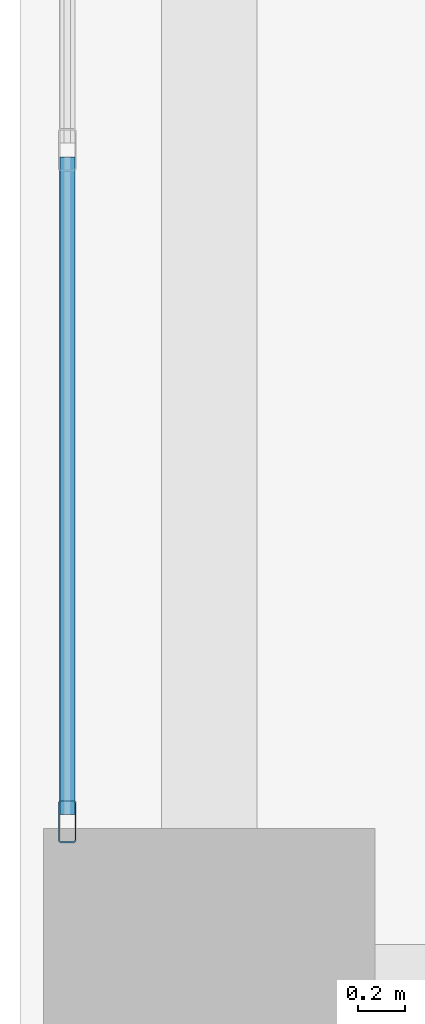
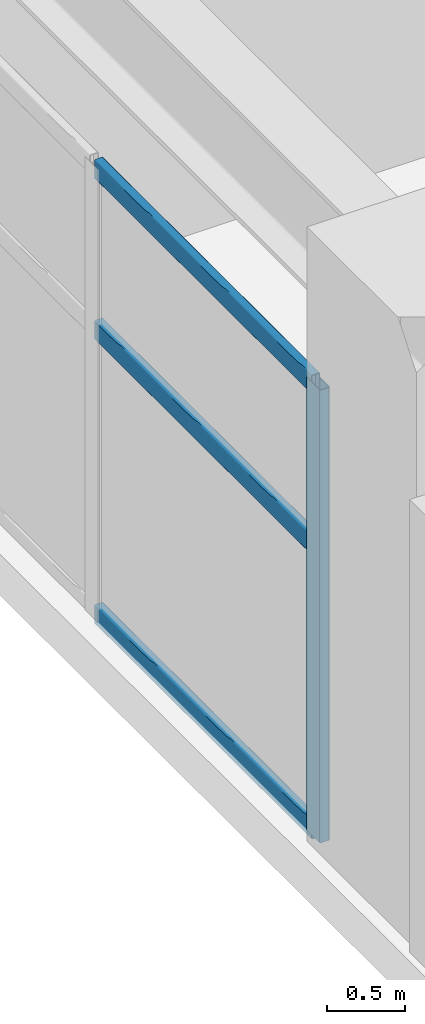
# One storey, part 5 of 28: 4 members, 1 element without a shape of its own.
"""IFC4 building model written with IfcOpenShell, lengths in metres."""

from ifc_helpers import new_model, si_unit, direction, frame, origin, origin_2d, place, context, subcontext, project, spatial, hollow_rectangle, extrude, material, layer, layer_set, material_profile, profile_set, type_object, element, aggregate, save


model = new_model("IFC4")

# Units and contexts
model_context = context("Model", 3, precision=1e-05, world=origin(), true_north=direction((0.0, 1.0)))
body_context = subcontext(model_context, "Body", "Model", "MODEL_VIEW")
ifc_project = project(units=[si_unit("LENGTHUNIT", "METRE"), si_unit("AREAUNIT", "SQUARE_METRE"), si_unit("VOLUMEUNIT", "CUBIC_METRE"), si_unit("PLANEANGLEUNIT", "RADIAN"), si_unit("MASSUNIT", "GRAM", prefix="KILO")], contexts=[model_context])

# Site, building, storey
site_placement = place(None, origin())
site = spatial("IfcSite", under=ifc_project, at=site_placement, CompositionType="ELEMENT")
building_placement = place(site_placement, origin())
building = spatial("IfcBuilding", under=site, at=building_placement, Name="Soratama Intermodal Tower", CompositionType="ELEMENT")
storey_placement = place(building_placement, frame((0.0, 0.0, 11.39990234375)))
storey = spatial("IfcBuildingStorey", under=building, at=storey_placement, Name="L02", CompositionType="ELEMENT", Elevation=11.39990234375)

# Curtain wall, members
ifc_material_1 = material(Name="Double-glazed aluminium curtain wall", Category="aluminium")
ifc_layer = layer(ifc_material_1, 0.159912109375)
ifc_layer_set = layer_set([ifc_layer], Name="Double-glazed aluminium curtain wall")
curtain_wall_type = type_object("IfcCurtainWallType", Name="CW-SYS-1", PredefinedType="NOTDEFINED", material=ifc_layer_set)
curtain_wall_placement = place(storey_placement, origin())
curtain_wall = element("IfcCurtainWall", 1, at=curtain_wall_placement, inside=storey, type_object=curtain_wall_type, Name="L02 Station Curtain Wall W1", PredefinedType="NOTDEFINED")
ifc_material_2 = material(Name="Anodised aluminium AA 6063-T6", Category="aluminium")
ifc_material_profile_1 = material_profile(ifc_material_2, hollow_rectangle(XDim=0.074951171875, YDim=0.179931640625, WallThickness=0.006103515625, InnerFilletRadius=0.006103515625, OuterFilletRadius=0.011962890625, at=origin_2d()), Name="CWM180X75X6")
ifc_profile_set_1 = profile_set([ifc_material_profile_1], Name="Anodised aluminium AA 6063-T6")
member_type_1 = type_object("IfcMemberType", Name="MT-CWM-1", PredefinedType="MULLION", material=ifc_profile_set_1)
member_1_placement = place(storey_placement, frame((0.199951171875, 15.72998046875, 0.0), z_axis=(0.0, 0.0, 1.0), x_axis=(-1.0, 0.0, 0.0)))
member_1 = element("IfcMember", 2, at=member_1_placement, type_object=member_type_1, Name="CW-1 mullion 1", PredefinedType="MULLION", context=body_context, shape_type="SweptSolid", body=[
    extrude(hollow_rectangle(XDim=0.074951171875, YDim=0.179931640625, WallThickness=0.006103515625, InnerFilletRadius=0.006103515625, OuterFilletRadius=0.011962890625, at=origin_2d()), origin(), (0.0, 0.0, 1.0), 3.5361328125),
])
ifc_material_3 = material(Name="Anodised aluminium AA 6063-T6", Category="aluminium")
ifc_material_profile_2 = material_profile(ifc_material_3, hollow_rectangle(XDim=0.06494140625, YDim=0.14990234375, WallThickness=0.0048828125, InnerFilletRadius=0.0048828125, OuterFilletRadius=0.010009765625, at=origin_2d()), Name="CWT150X65X5")
ifc_profile_set_2 = profile_set([ifc_material_profile_2], Name="Anodised aluminium AA 6063-T6")
member_type_2 = type_object("IfcMemberType", Name="TT-CWT-1", PredefinedType="USERDEFINED", material=ifc_profile_set_2)
member_2_placement = place(storey_placement, frame((0.199951171875, 15.760009765625, 0.030029296875), z_axis=(0.0, 1.0, 0.0), x_axis=(-1.0, 0.0, 0.0)))
member_2 = element("IfcMember", 3, at=member_2_placement, type_object=member_type_2, Name="CW-1 transom 1.1", ObjectType="TRANSOM", PredefinedType="USERDEFINED", context=body_context, shape_type="SweptSolid", body=[
    extrude(hollow_rectangle(XDim=0.06494140625, YDim=0.14990234375, WallThickness=0.0048828125, InnerFilletRadius=0.0048828125, OuterFilletRadius=0.010009765625, at=origin_2d()), origin(), (0.0, 0.0, 1.0), 2.776611328125),
])
member_3_placement = place(storey_placement, frame((0.199951171875, 15.760009765625, 2.25), z_axis=(0.0, 1.0, 0.0), x_axis=(-1.0, 0.0, 0.0)))
member_3 = element("IfcMember", 4, at=member_3_placement, type_object=member_type_2, Name="CW-1 transom 1.2", ObjectType="TRANSOM", PredefinedType="USERDEFINED", context=body_context, shape_type="SweptSolid", body=[
    extrude(hollow_rectangle(XDim=0.06494140625, YDim=0.14990234375, WallThickness=0.0048828125, InnerFilletRadius=0.0048828125, OuterFilletRadius=0.010009765625, at=origin_2d()), origin(), (0.0, 0.0, 1.0), 2.776611328125),
])
member_4_placement = place(storey_placement, frame((0.199951171875, 15.760009765625, 3.506103515625), z_axis=(0.0, 1.0, 0.0), x_axis=(-1.0, 0.0, 0.0)))
member_4 = element("IfcMember", 5, at=member_4_placement, type_object=member_type_2, Name="CW-1 transom 1.3", ObjectType="TRANSOM", PredefinedType="USERDEFINED", context=body_context, shape_type="SweptSolid", body=[
    extrude(hollow_rectangle(XDim=0.06494140625, YDim=0.14990234375, WallThickness=0.0048828125, InnerFilletRadius=0.0048828125, OuterFilletRadius=0.010009765625, at=origin_2d()), origin(), (0.0, 0.0, 1.0), 2.776611328125),
])
aggregate(curtain_wall, [member_1, member_2, member_3, member_4])

save(model, "model.ifc")
